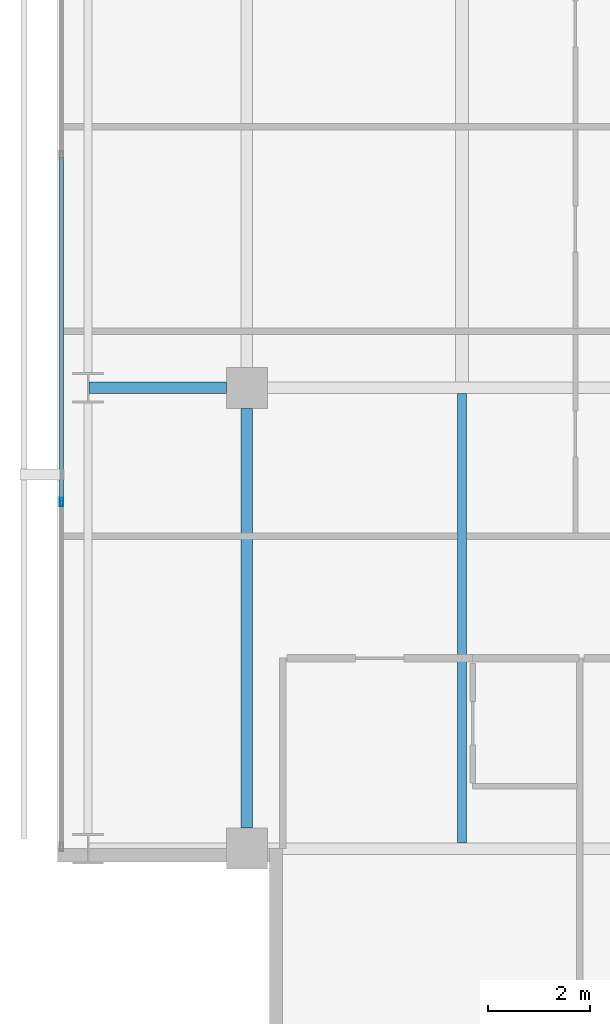
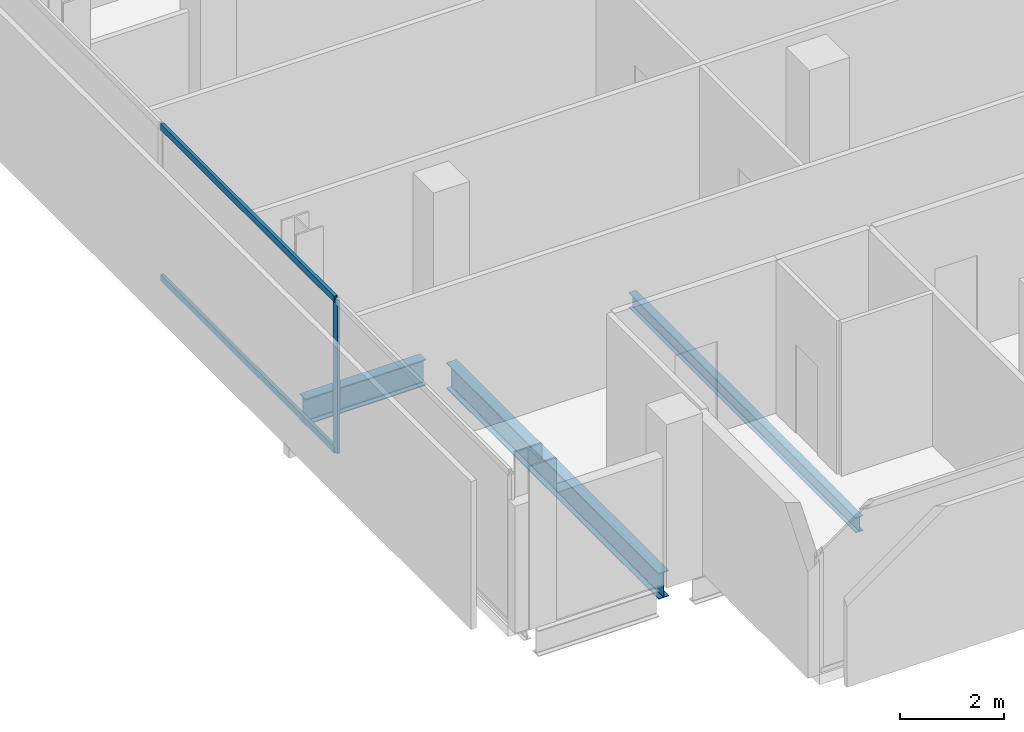
# One storey, part 4 of 34: 3 beams, 3 members, 1 element without a shape of its own.
"""IFC4 building model written with IfcOpenShell, lengths in metres."""

from ifc_helpers import new_model, si_unit, direction, frame, origin, origin_2d, place, context, subcontext, project, spatial, hollow_rectangle, i_section, extrude, material, layer, layer_set, material_profile, profile_set, type_object, element, aggregate, save


model = new_model("IFC4")

# Units and contexts
model_context = context("Model", 3, precision=1e-05, world=origin(), true_north=direction((0.0, 1.0)))
body_context = subcontext(model_context, "Body", "Model", "MODEL_VIEW")
ifc_project = project(units=[si_unit("LENGTHUNIT", "METRE"), si_unit("AREAUNIT", "SQUARE_METRE"), si_unit("VOLUMEUNIT", "CUBIC_METRE"), si_unit("PLANEANGLEUNIT", "RADIAN"), si_unit("MASSUNIT", "GRAM", prefix="KILO")], contexts=[model_context])

# Site, building, storey
site_placement = place(None, origin())
site = spatial("IfcSite", under=ifc_project, at=site_placement, CompositionType="ELEMENT")
building_placement = place(site_placement, origin())
building = spatial("IfcBuilding", under=site, at=building_placement, Name="Maruvema Waterfront Hotel and Observation Tower", CompositionType="ELEMENT")
storey_placement = place(building_placement, frame((0.0, 0.0, 131.25)))
storey = spatial("IfcBuildingStorey", under=building, at=storey_placement, Name="L31", CompositionType="ELEMENT", Elevation=131.25)

# Curtain wall, members
ifc_material_1 = material(Name="Anodised bronze aluminium and solar-control low-E IGU", Category="aluminium")
ifc_layer = layer(ifc_material_1, 0.159912109375, Name="Zone 2 Amber Inner Thermal Curtain Wall System CW-03")
ifc_layer_set = layer_set([ifc_layer], Name="Anodised bronze aluminium and solar-control low-E IGU")
curtain_wall_type = type_object("IfcCurtainWallType", Name="Zone 2 Amber Inner Thermal Curtain Wall System CW-03", PredefinedType="USERDEFINED", material=ifc_layer_set)
curtain_wall_placement = place(storey_placement, origin())
curtain_wall = element("IfcCurtainWall", 1, at=curtain_wall_placement, inside=storey, type_object=curtain_wall_type, Name="L31 Curtain Wall CW-L31-W", ObjectType="UNITISED CURTAIN WALL", PredefinedType="USERDEFINED")
ifc_material_2 = material(Name="Anodised architectural bronze aluminium", Category="aluminium")
ifc_material_profile_1 = material_profile(ifc_material_2, hollow_rectangle(XDim=0.070068359375, YDim=0.14990234375, WallThickness=0.00390625, at=origin_2d()), Name="ALU-T70x150")
ifc_profile_set_1 = profile_set([ifc_material_profile_1], Name="Anodised architectural bronze aluminium")
member_type_1 = type_object("IfcMemberType", Name="Curtain Wall Horizontal Transom ALU-T70x150", PredefinedType="USERDEFINED", material=ifc_profile_set_1)
member_1_placement = place(storey_placement, frame((13.179931640625, 22.50341796875, 0.030029296875), z_axis=(0.0, -1.0, 0.0), x_axis=(1.0, 0.0, 0.0)))
member_1 = element("IfcMember", 2, at=member_1_placement, type_object=member_type_1, Name="CW-03 transom 5.1", ObjectType="TRANSOM", PredefinedType="USERDEFINED", context=body_context, shape_type="SweptSolid", body=[
    extrude(hollow_rectangle(XDim=0.070068359375, YDim=0.14990234375, WallThickness=0.00390625, at=origin_2d()), origin(), (0.0, 0.0, 1.0), 6.706787109375),
])
member_2_placement = place(storey_placement, frame((13.179931640625, 22.50341796875, 3.580078125), z_axis=(0.0, -1.0, 0.0), x_axis=(1.0, 0.0, 0.0)))
member_2 = element("IfcMember", 3, at=member_2_placement, type_object=member_type_1, Name="CW-03 transom 5.2", ObjectType="TRANSOM", PredefinedType="USERDEFINED", context=body_context, shape_type="SweptSolid", body=[
    extrude(hollow_rectangle(XDim=0.070068359375, YDim=0.14990234375, WallThickness=0.00390625, at=origin_2d()), origin(), (0.0, 0.0, 1.0), 6.706787109375),
])
ifc_material_3 = material(Name="Anodised architectural bronze aluminium", Category="aluminium")
ifc_material_profile_2 = material_profile(ifc_material_3, hollow_rectangle(XDim=0.06494140625, YDim=0.1650390625, WallThickness=0.00390625, at=origin_2d()), Name="ALU-M65x165")
ifc_profile_set_2 = profile_set([ifc_material_profile_2], Name="Anodised architectural bronze aluminium")
member_type_2 = type_object("IfcMemberType", Name="Curtain Wall Primary Mullion ALU-M65x165", PredefinedType="MULLION", material=ifc_profile_set_2)
member_3_placement = place(storey_placement, frame((13.179931640625, 15.7666015625, 0.0), z_axis=(0.0, 0.0, 1.0), x_axis=(1.0, 0.0, 0.0)))
member_3 = element("IfcMember", 4, at=member_3_placement, type_object=member_type_2, Name="CW-03 mullion 6", PredefinedType="MULLION", context=body_context, shape_type="SweptSolid", body=[
    extrude(hollow_rectangle(XDim=0.06494140625, YDim=0.1650390625, WallThickness=0.00390625, at=origin_2d()), origin(), (0.0, 0.0, 1.0), 3.610107421875),
])
aggregate(curtain_wall, [member_3, member_1, member_2])

# Beams
ifc_material_4 = material(Name="Steel ASTM A572 Grade 50", Category="steel")
ifc_material_profile_3 = material_profile(ifc_material_4, i_section(OverallWidth=0.22900390625, OverallDepth=0.612060546875, WebThickness=0.011962890625, FlangeThickness=0.01953125, FilletRadius=0.01806640625, at=origin_2d()), Name="W610x125.0")
ifc_profile_set_3 = profile_set([ifc_material_profile_3], Name="Steel ASTM A572 Grade 50")
beam_type_1 = type_object("IfcBeamType", Name="Primary Floor Girder W610x125.0", PredefinedType="BEAM", material=ifc_profile_set_3)
beam_1_placement = place(storey_placement, frame((13.71240234375, 18.0, -0.5458984375), z_axis=(1.0, 0.0, 0.0), x_axis=(0.0, 1.0, 0.0)))
element("IfcBeam", 5, at=beam_1_placement, inside=storey, type_object=beam_type_1, Name="L31 Floor Girder EW-11", PredefinedType="BEAM", context=body_context, shape_type="SweptSolid", body=[
    extrude(i_section(OverallWidth=0.22900390625, OverallDepth=0.612060546875, WebThickness=0.011962890625, FlangeThickness=0.01953125, FilletRadius=0.01806640625, at=origin_2d()), origin(), (0.0, 0.0, 1.0), 2.6875),
])
beam_2_placement = place(storey_placement, frame((16.800048828125, 9.39990234375, -0.5458984375), z_axis=(0.0, 1.0, 0.0), x_axis=(-1.0, 0.0, 0.0)))
element("IfcBeam", 6, at=beam_2_placement, inside=storey, type_object=beam_type_1, Name="L31 Floor Girder NS-05", PredefinedType="BEAM", context=body_context, shape_type="SweptSolid", body=[
    extrude(i_section(OverallWidth=0.22900390625, OverallDepth=0.612060546875, WebThickness=0.011962890625, FlangeThickness=0.01953125, FilletRadius=0.01806640625, at=origin_2d()), origin(), (0.0, 0.0, 1.0), 8.2001953125),
])
ifc_material_5 = material(Name="Steel ASTM A572 Grade 50", Category="steel")
ifc_material_profile_4 = material_profile(ifc_material_5, i_section(OverallWidth=0.1708984375, OverallDepth=0.35498046875, WebThickness=0.007080078125, FlangeThickness=0.01171875, FilletRadius=0.014892578125, at=origin_2d()), Name="W360x51.0")
ifc_profile_set_4 = profile_set([ifc_material_profile_4], Name="Steel ASTM A572 Grade 50")
beam_type_2 = type_object("IfcBeamType", Name="Secondary Floor Joist W360x51.0", PredefinedType="JOIST", material=ifc_profile_set_4)
beam_3_placement = place(storey_placement, frame((21.0, 9.114501953125, -0.41748046875), z_axis=(0.0, 1.0, 0.0), x_axis=(-1.0, 0.0, 0.0)))
element("IfcBeam", 7, at=beam_3_placement, inside=storey, type_object=beam_type_2, Name="L31 Secondary Floor Joist JS-01", PredefinedType="JOIST", context=body_context, shape_type="SweptSolid", body=[
    extrude(i_section(OverallWidth=0.1708984375, OverallDepth=0.35498046875, WebThickness=0.007080078125, FlangeThickness=0.01171875, FilletRadius=0.014892578125, at=origin_2d()), origin(), (0.0, 0.0, 1.0), 8.77099609375),
])

save(model, "model.ifc")
